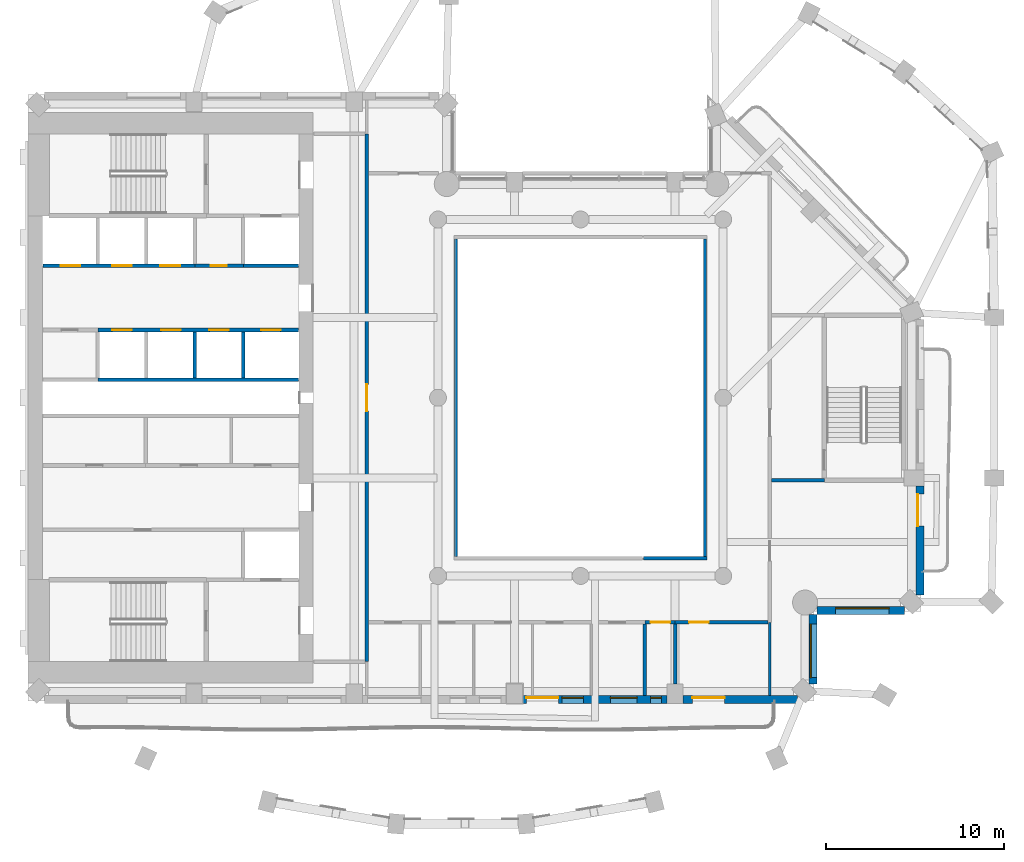
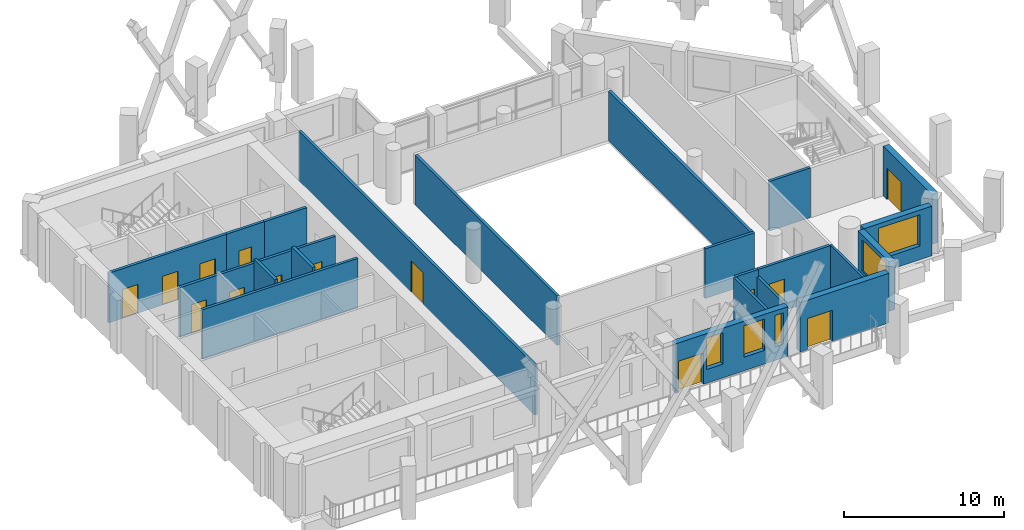
# One storey, part 5 of 15: 22 walls, 14 doors, 5 windows, 19 openings.
"""IFC4 building model written with IfcOpenShell, lengths in metres."""

from ifc_helpers import new_model, si_unit, direction, frame, frame_2d, origin, place, context, subcontext, project, spatial, rectangle, extrude, material, layer, layer_set, type_object, element, fill, save


model = new_model("IFC4")

# Units and contexts
model_context = context("Model", 3, precision=1e-05, world=origin(), true_north=direction((0.0, 1.0)))
body_context = subcontext(model_context, "Body", "Model", "MODEL_VIEW")
ifc_project = project(units=[si_unit("LENGTHUNIT", "METRE"), si_unit("AREAUNIT", "SQUARE_METRE"), si_unit("VOLUMEUNIT", "CUBIC_METRE"), si_unit("PLANEANGLEUNIT", "RADIAN"), si_unit("MASSUNIT", "GRAM", prefix="KILO")], contexts=[model_context])

# Site, building, storey
site_placement = place(None, origin())
site = spatial("IfcSite", under=ifc_project, at=site_placement, CompositionType="ELEMENT")
building_placement = place(site_placement, origin())
building = spatial("IfcBuilding", under=site, at=building_placement, Name="Cypress Arch Tower", CompositionType="ELEMENT")
storey_placement = place(building_placement, frame((0.0, 0.0, 205.60009765625)))
storey = spatial("IfcBuildingStorey", under=building, at=storey_placement, Name="L45", CompositionType="ELEMENT", Elevation=205.60009765625)

# Wall, openings, door, windows
ifc_material_1 = material(Name="Brick (red buff blend)", Category="masonry")
ifc_layer_1 = layer(ifc_material_1, 0.449951171875)
ifc_layer_set_1 = layer_set([ifc_layer_1], Name="Brick pier and spandrel wall BW450")
wall_type_1 = type_object("IfcWallType", Name="Brick pier and spandrel wall BW450", PredefinedType="SOLIDWALL", material=ifc_layer_set_1)
wall_1_placement = place(storey_placement, frame((-2.25, -16.925048828125, 0.0), z_axis=(0.0, 0.0, 1.0), x_axis=(1.0, 0.0, 0.0)))
wall_1 = element("IfcWall", 1, at=wall_1_placement, inside=storey, type_object=wall_type_1, Name="Brick wall L45 B01.3", PredefinedType="SOLIDWALL", context=body_context, shape_type="SweptSolid", body=[
    extrude(rectangle(XDim=8.10009765625, YDim=0.449951171875, at=frame_2d((4.050048828125, 0.0))), origin(), (0.0, 0.0, 1.0), 3.7998046875),
])
opening_1_placement = place(wall_1_placement, frame((0.199951171875, 0.0, 0.0)))
opening_1 = element("IfcOpeningElement", 2, at=opening_1_placement, cuts=wall_1, Name="Opening D-L45-B01.3.1", PredefinedType="OPENING", context=body_context, shape_type="SweptSolid", body=[
    extrude(rectangle(XDim=1.800048828125, YDim=2.39990234375, at=frame_2d((0.89990234375, 1.199951171875))), frame((0.0, 0.23486328125, 0.0), z_axis=(0.0, -1.0, 0.0), x_axis=(1.0, 0.0, 0.0)), (0.0, 0.0, 1.0), 0.469970703125),
])
opening_2_placement = place(wall_1_placement, frame((2.199951171875, 0.0, 1.050048828125)))
opening_2 = element("IfcOpeningElement", 3, at=opening_2_placement, cuts=wall_1, Name="Opening W120OD", PredefinedType="OPENING", context=body_context, shape_type="SweptSolid", body=[
    extrude(rectangle(XDim=1.199951171875, YDim=2.39990234375, at=frame_2d((0.60009765625, 1.199951171875))), frame((0.0, 0.23486328125, 0.0), z_axis=(0.0, -1.0, 0.0), x_axis=(1.0, 0.0, 0.0)), (0.0, 0.0, 1.0), 0.469970703125),
])
opening_3_placement = place(wall_1_placement, frame((4.925537109375, 0.0, 1.050048828125)))
opening_3 = element("IfcOpeningElement", 4, at=opening_3_placement, cuts=wall_1, Name="Opening W150OD", PredefinedType="OPENING", context=body_context, shape_type="SweptSolid", body=[
    extrude(rectangle(XDim=1.5, YDim=2.39990234375, at=frame_2d((0.75, 1.199951171875))), frame((0.0, 0.23486328125, 0.0), z_axis=(0.0, -1.0, 0.0), x_axis=(1.0, 0.0, 0.0)), (0.0, 0.0, 1.0), 0.469970703125),
])
opening_4_placement = place(wall_1_placement, frame((7.175537109375, 0.0, 1.050048828125)))
opening_4 = element("IfcOpeningElement", 5, at=opening_4_placement, cuts=wall_1, Name="Opening W060OD", PredefinedType="OPENING", context=body_context, shape_type="SweptSolid", body=[
    extrude(rectangle(XDim=0.60009765625, YDim=2.39990234375, at=frame_2d((0.300048828125, 1.199951171875))), frame((0.0, 0.23486328125, 0.0), z_axis=(0.0, -1.0, 0.0), x_axis=(1.0, 0.0, 0.0)), (0.0, 0.0, 1.0), 0.469970703125),
])
ifc_material_2 = material(Name="Anodised aluminium, bronze finish, laminated low-emissivity double glazing, large-missile impact rated", Category="aluminium")
door_type_1 = type_object("IfcDoorType", Name="Balcony sliding door 1800x2400", OperationType="SLIDING_TO_LEFT", PredefinedType="DOOR", material=ifc_material_2)
door_1_placement = place(opening_1_placement, origin())
door_1 = element("IfcDoor", 6, at=door_1_placement, inside=storey, type_object=door_type_1, Name="Balcony door L45 B01.3.1", OperationType="SLIDING_TO_LEFT", OverallHeight=2.39990234375, OverallWidth=1.800048828125, PredefinedType="DOOR", context=body_context, shape_type="SweptSolid", body=[
    extrude(rectangle(XDim=1.800048828125, YDim=2.39990234375, at=frame_2d((0.89990234375, 1.199951171875))), frame((0.0, 0.1298828125, 0.0), z_axis=(0.0, -1.0, 0.0), x_axis=(1.0, 0.0, 0.0)), (0.0, 0.0, 1.0), 0.050048828125),
])
fill(opening_1, door_1)
ifc_material_3 = material(Name="Anodised aluminium, bronze finish, laminated low-emissivity double glazing, large-missile impact rated", Category="aluminium")
window_type_1 = type_object("IfcWindowType", Name="Window Office 1200x2400 debris-rated", PartitioningType="SINGLE_PANEL", PredefinedType="WINDOW", material=ifc_material_3)
window_1_placement = place(opening_2_placement, origin())
window_1 = element("IfcWindow", 7, at=window_1_placement, inside=storey, type_object=window_type_1, Name="Window L45 B01.3.1", OverallHeight=2.39990234375, OverallWidth=1.199951171875, PartitioningType="SINGLE_PANEL", PredefinedType="WINDOW", context=body_context, shape_type="SweptSolid", body=[
    extrude(rectangle(XDim=1.199951171875, YDim=2.39990234375, at=frame_2d((0.60009765625, 1.199951171875))), frame((0.0, 0.135009765625, 0.0), z_axis=(0.0, -1.0, 0.0), x_axis=(1.0, 0.0, 0.0)), (0.0, 0.0, 1.0), 0.06005859375),
])
fill(opening_2, window_1)
ifc_material_4 = material(Name="Anodised aluminium, bronze finish, laminated low-emissivity double glazing, large-missile impact rated", Category="aluminium")
window_type_2 = type_object("IfcWindowType", Name="Window Office 1500x2400 debris-rated", PartitioningType="SINGLE_PANEL", PredefinedType="WINDOW", material=ifc_material_4)
window_2_placement = place(opening_3_placement, origin())
window_2 = element("IfcWindow", 8, at=window_2_placement, inside=storey, type_object=window_type_2, Name="Window L45 B01.3.2", OverallHeight=2.39990234375, OverallWidth=1.5, PartitioningType="SINGLE_PANEL", PredefinedType="WINDOW", context=body_context, shape_type="SweptSolid", body=[
    extrude(rectangle(XDim=1.5, YDim=2.39990234375, at=frame_2d((0.75, 1.199951171875))), frame((0.0, 0.135009765625, 0.0), z_axis=(0.0, -1.0, 0.0), x_axis=(1.0, 0.0, 0.0)), (0.0, 0.0, 1.0), 0.06005859375),
])
fill(opening_3, window_2)
ifc_material_5 = material(Name="Anodised aluminium, bronze finish, laminated low-emissivity double glazing, large-missile impact rated", Category="aluminium")
window_type_3 = type_object("IfcWindowType", Name="Window Office 600x2400 debris-rated", PartitioningType="SINGLE_PANEL", PredefinedType="WINDOW", material=ifc_material_5)
window_3_placement = place(opening_4_placement, origin())
window_3 = element("IfcWindow", 9, at=window_3_placement, inside=storey, type_object=window_type_3, Name="Window L45 B01.3.2b", OverallHeight=2.39990234375, OverallWidth=0.60009765625, PartitioningType="SINGLE_PANEL", PredefinedType="WINDOW", context=body_context, shape_type="SweptSolid", body=[
    extrude(rectangle(XDim=0.60009765625, YDim=2.39990234375, at=frame_2d((0.300048828125, 1.199951171875))), frame((0.0, 0.135009765625, 0.0), z_axis=(0.0, -1.0, 0.0), x_axis=(1.0, 0.0, 0.0)), (0.0, 0.0, 1.0), 0.06005859375),
])
fill(opening_4, window_3)

# Wall, opening, door
wall_2_placement = place(storey_placement, frame((6.75, -16.925048828125, 0.0), z_axis=(0.0, 0.0, 1.0), x_axis=(1.0, 0.0, 0.0)))
wall_2 = element("IfcWall", 10, at=wall_2_placement, inside=storey, type_object=wall_type_1, Name="Brick wall L45 B01.4", PredefinedType="SOLIDWALL", context=body_context, shape_type="SweptSolid", body=[
    extrude(rectangle(XDim=6.41357421875, YDim=0.449951171875, at=frame_2d((3.206787109375, 0.0))), origin(), (0.0, 0.0, 1.0), 3.7998046875),
])
opening_5_placement = place(wall_2_placement, frame((0.52490234375, 0.0, 0.0)))
opening_5 = element("IfcOpeningElement", 11, at=opening_5_placement, cuts=wall_2, Name="Opening D-L45-B01.4.1", PredefinedType="OPENING", context=body_context, shape_type="SweptSolid", body=[
    extrude(rectangle(XDim=1.800048828125, YDim=2.39990234375, at=frame_2d((0.89990234375, 1.199951171875))), frame((0.0, 0.23486328125, 0.0), z_axis=(0.0, -1.0, 0.0), x_axis=(1.0, 0.0, 0.0)), (0.0, 0.0, 1.0), 0.469970703125),
])
door_2_placement = place(opening_5_placement, origin())
door_2 = element("IfcDoor", 12, at=door_2_placement, inside=storey, type_object=door_type_1, Name="Balcony door L45 B01.4.1", OperationType="SLIDING_TO_LEFT", OverallHeight=2.39990234375, OverallWidth=1.800048828125, PredefinedType="DOOR", context=body_context, shape_type="SweptSolid", body=[
    extrude(rectangle(XDim=1.800048828125, YDim=2.39990234375, at=frame_2d((0.89990234375, 1.199951171875))), frame((0.0, 0.1298828125, 0.0), z_axis=(0.0, -1.0, 0.0), x_axis=(1.0, 0.0, 0.0)), (0.0, 0.0, 1.0), 0.050048828125),
])
fill(opening_5, door_2)

# Wall, opening, window
wall_3_placement = place(storey_placement, frame((14.02490234375, -16.063720703125, 0.0), z_axis=(0.0, 0.0, 1.0), x_axis=(0.0, 1.0, 0.0)))
wall_3 = element("IfcWall", 13, at=wall_3_placement, inside=storey, type_object=wall_type_1, Name="Brick wall L45 B02.0", PredefinedType="SOLIDWALL", context=body_context, shape_type="SweptSolid", body=[
    extrude(rectangle(XDim=3.9091796875, YDim=0.449951171875, at=frame_2d((1.95458984375, 0.0))), origin(), (0.0, 0.0, 1.0), 3.7998046875),
])
opening_6_placement = place(wall_3_placement, frame((0.363525390625, 0.0, 1.050048828125)))
opening_6 = element("IfcOpeningElement", 14, at=opening_6_placement, cuts=wall_3, Name="Opening W300O", PredefinedType="OPENING", context=body_context, shape_type="SweptSolid", body=[
    extrude(rectangle(XDim=3.0, YDim=2.39990234375, at=frame_2d((1.5, 1.199951171875))), frame((0.0, 0.23486328125, 0.0), z_axis=(0.0, -1.0, 0.0), x_axis=(1.0, 0.0, 0.0)), (0.0, 0.0, 1.0), 0.469970703125),
])
ifc_material_6 = material(Name="Anodised aluminium, bronze finish, clear low-emissivity double glazing", Category="aluminium")
window_type_4 = type_object("IfcWindowType", Name="Window Office 3000x2400", PartitioningType="SINGLE_PANEL", PredefinedType="WINDOW", material=ifc_material_6)
window_4_placement = place(opening_6_placement, origin())
window_4 = element("IfcWindow", 15, at=window_4_placement, inside=storey, type_object=window_type_4, Name="Window L45 B02.0.1", OverallHeight=2.39990234375, OverallWidth=3.0, PartitioningType="SINGLE_PANEL", PredefinedType="WINDOW", context=body_context, shape_type="SweptSolid", body=[
    extrude(rectangle(XDim=3.0, YDim=2.39990234375, at=frame_2d((1.5, 1.199951171875))), frame((0.0, 0.135009765625, 0.0), z_axis=(0.0, -1.0, 0.0), x_axis=(1.0, 0.0, 0.0)), (0.0, 0.0, 1.0), 0.06005859375),
])
fill(opening_6, window_4)

wall_4_placement = place(storey_placement, frame((14.254638671875, -11.925048828125, 0.0), z_axis=(0.0, 0.0, 1.0), x_axis=(1.0, 0.0, 0.0)))
wall_4 = element("IfcWall", 16, at=wall_4_placement, inside=storey, type_object=wall_type_1, Name="Brick wall L45 B03.0", PredefinedType="SOLIDWALL", context=body_context, shape_type="SweptSolid", body=[
    extrude(rectangle(XDim=4.908935546875, YDim=0.449951171875, at=frame_2d((2.45458984375, 0.0))), origin(), (0.0, 0.0, 1.0), 3.7998046875),
])
opening_7_placement = place(wall_4_placement, frame((1.04541015625, 0.0, 1.050048828125)))
opening_7 = element("IfcOpeningElement", 17, at=opening_7_placement, cuts=wall_4, Name="Opening W300O", PredefinedType="OPENING", context=body_context, shape_type="SweptSolid", body=[
    extrude(rectangle(XDim=3.0, YDim=2.39990234375, at=frame_2d((1.5, 1.199951171875))), frame((0.0, 0.23486328125, 0.0), z_axis=(0.0, -1.0, 0.0), x_axis=(1.0, 0.0, 0.0)), (0.0, 0.0, 1.0), 0.469970703125),
])
window_5_placement = place(opening_7_placement, origin())
window_5 = element("IfcWindow", 18, at=window_5_placement, inside=storey, type_object=window_type_4, Name="Window L45 B03.0.1", OverallHeight=2.39990234375, OverallWidth=3.0, PartitioningType="SINGLE_PANEL", PredefinedType="WINDOW", context=body_context, shape_type="SweptSolid", body=[
    extrude(rectangle(XDim=3.0, YDim=2.39990234375, at=frame_2d((1.5, 1.199951171875))), frame((0.0, 0.135009765625, 0.0), z_axis=(0.0, -1.0, 0.0), x_axis=(1.0, 0.0, 0.0)), (0.0, 0.0, 1.0), 0.06005859375),
])
fill(opening_7, window_5)

# Wall, opening, door
wall_5_placement = place(storey_placement, frame((20.02490234375, -11.063720703125, 0.0), z_axis=(0.0, 0.0, 1.0), x_axis=(0.0, 1.0, 0.0)))
wall_5 = element("IfcWall", 19, at=wall_5_placement, inside=storey, type_object=wall_type_1, Name="Brick wall L45 B04.0", PredefinedType="SOLIDWALL", context=body_context, shape_type="SweptSolid", body=[
    extrude(rectangle(XDim=6.11376953125, YDim=0.449951171875, at=frame_2d((3.056884765625, 0.0))), origin(), (0.0, 0.0, 1.0), 3.7998046875),
])
opening_8_placement = place(wall_5_placement, frame((3.863525390625, 0.0, 0.0)))
opening_8 = element("IfcOpeningElement", 20, at=opening_8_placement, cuts=wall_5, Name="Opening D-L45-B04.0.2", PredefinedType="OPENING", context=body_context, shape_type="SweptSolid", body=[
    extrude(rectangle(XDim=1.800048828125, YDim=2.39990234375, at=frame_2d((0.89990234375, 1.199951171875))), frame((0.0, 0.23486328125, 0.0), z_axis=(0.0, -1.0, 0.0), x_axis=(1.0, 0.0, 0.0)), (0.0, 0.0, 1.0), 0.469970703125),
])
door_3_placement = place(opening_8_placement, origin())
door_3 = element("IfcDoor", 21, at=door_3_placement, inside=storey, type_object=door_type_1, Name="Balcony door L45 B04.0.2", OperationType="SLIDING_TO_LEFT", OverallHeight=2.39990234375, OverallWidth=1.800048828125, PredefinedType="DOOR", context=body_context, shape_type="SweptSolid", body=[
    extrude(rectangle(XDim=1.800048828125, YDim=2.39990234375, at=frame_2d((0.89990234375, 1.199951171875))), frame((0.0, 0.1298828125, 0.0), z_axis=(0.0, -1.0, 0.0), x_axis=(1.0, 0.0, 0.0)), (0.0, 0.0, 1.0), 0.050048828125),
])
fill(opening_8, door_3)

ifc_material_7 = material(Name="Concrete blockwork, plastered, rated", Category="masonry")
ifc_layer_2 = layer(ifc_material_7, 0.199951171875)
ifc_layer_set_2 = layer_set([ifc_layer_2], Name="Corridor wall FW200")
wall_type_2 = type_object("IfcWallType", Name="Corridor wall FW200", PredefinedType="PARTITIONING", material=ifc_layer_set_2)
wall_6_placement = place(storey_placement, frame((-20.639892578125, 7.39990234375, 0.0), z_axis=(0.0, 0.0, 1.0), x_axis=(1.0, 0.0, 0.0)))
wall_6 = element("IfcWall", 22, at=wall_6_placement, inside=storey, type_object=wall_type_2, Name="Corridor wall", PredefinedType="PARTITIONING", context=body_context, shape_type="SweptSolid", body=[
    extrude(rectangle(XDim=2.719970703125, YDim=0.199951171875, at=frame_2d((1.35986328125, 0.0))), origin(), (0.0, 0.0, 1.0), 3.7998046875),
])
opening_9_placement = place(wall_6_placement, frame((0.89990234375, 0.0, 0.0)))
opening_9 = element("IfcOpeningElement", 23, at=opening_9_placement, cuts=wall_6, Name="Opening D05", PredefinedType="OPENING", context=body_context, shape_type="SweptSolid", body=[
    extrude(rectangle(XDim=0.89990234375, YDim=2.199951171875, at=frame_2d((0.449951171875, 1.10009765625))), frame((0.0, 0.10986328125, 0.0), z_axis=(0.0, -1.0, 0.0), x_axis=(1.0, 0.0, 0.0)), (0.0, 0.0, 1.0), 0.219970703125),
])
ifc_material_8 = material(Name="Timber flush door", Category="wood")
door_type_2 = type_object("IfcDoorType", Name="Service door D05 900x2200", OperationType="SINGLE_SWING_LEFT", PredefinedType="DOOR", material=ifc_material_8)
door_4_placement = place(opening_9_placement, origin())
door_4 = element("IfcDoor", 24, at=door_4_placement, inside=storey, type_object=door_type_2, Name="Service door", OperationType="SINGLE_SWING_LEFT", OverallHeight=2.199951171875, OverallWidth=0.89990234375, PredefinedType="DOOR", context=body_context, shape_type="SweptSolid", body=[
    extrude(rectangle(XDim=0.89990234375, YDim=2.199951171875, at=frame_2d((0.449951171875, 1.10009765625))), frame((0.0, 0.02490234375, 0.0), z_axis=(0.0, -1.0, 0.0), x_axis=(1.0, 0.0, 0.0)), (0.0, 0.0, 1.0), 0.050048828125),
])
fill(opening_9, door_4)

wall_7_placement = place(storey_placement, frame((-11.0, -14.800048828125, 0.0), z_axis=(0.0, 0.0, 1.0), x_axis=(0.0, 1.0, 0.0)))
wall_7 = element("IfcWall", 25, at=wall_7_placement, inside=storey, type_object=wall_type_2, Name="Corridor wall", PredefinedType="PARTITIONING", context=body_context, shape_type="SweptSolid", body=[
    extrude(rectangle(XDim=29.60009765625, YDim=0.199951171875, at=frame_2d((14.800048828125, 0.0))), origin(), (0.0, 0.0, 1.0), 3.7998046875),
])
opening_10_placement = place(wall_7_placement, frame((14.050048828125, 0.0, 0.0)))
opening_10 = element("IfcOpeningElement", 26, at=opening_10_placement, cuts=wall_7, Name="Opening D07", PredefinedType="OPENING", context=body_context, shape_type="SweptSolid", body=[
    extrude(rectangle(XDim=1.5, YDim=2.39990234375, at=frame_2d((0.75, 1.199951171875))), frame((0.0, 0.10986328125, 0.0), z_axis=(0.0, -1.0, 0.0), x_axis=(1.0, 0.0, 0.0)), (0.0, 0.0, 1.0), 0.219970703125),
])
ifc_material_9 = material(Name="Steel framed glazed door, fire resisting", Category="steel")
door_type_3 = type_object("IfcDoorType", Name="Lobby door D07 1500x2400", OperationType="DOUBLE_DOOR_SINGLE_SWING", PredefinedType="DOOR", material=ifc_material_9)
door_5_placement = place(opening_10_placement, origin())
door_5 = element("IfcDoor", 27, at=door_5_placement, inside=storey, type_object=door_type_3, Name="Lobby door", OperationType="DOUBLE_DOOR_SINGLE_SWING", OverallHeight=2.39990234375, OverallWidth=1.5, PredefinedType="DOOR", context=body_context, shape_type="SweptSolid", body=[
    extrude(rectangle(XDim=1.5, YDim=2.39990234375, at=frame_2d((0.75, 1.199951171875))), frame((0.0, 0.02490234375, 0.0), z_axis=(0.0, -1.0, 0.0), x_axis=(1.0, 0.0, 0.0)), (0.0, 0.0, 1.0), 0.050048828125),
])
fill(opening_10, door_5)

# Walls
wall_8_placement = place(storey_placement, frame((-6.0, -8.89990234375, 0.0), z_axis=(0.0, 0.0, 1.0), x_axis=(0.0, 1.0, 0.0)))
element("IfcWall", 28, at=wall_8_placement, inside=storey, type_object=wall_type_2, Name="Corridor wall", PredefinedType="PARTITIONING", context=body_context, shape_type="SweptSolid", body=[
    extrude(rectangle(XDim=17.7998046875, YDim=0.199951171875, at=frame_2d((8.89990234375, 0.0))), origin(), (0.0, 0.0, 1.0), 3.7998046875),
])
wall_9_placement = place(storey_placement, frame((4.52001953125, -9.0, 0.0), z_axis=(0.0, 0.0, 1.0), x_axis=(1.0, 0.0, 0.0)))
element("IfcWall", 29, at=wall_9_placement, inside=storey, type_object=wall_type_2, Name="Corridor wall", PredefinedType="PARTITIONING", context=body_context, shape_type="SweptSolid", body=[
    extrude(rectangle(XDim=3.580078125, YDim=0.199951171875, at=frame_2d((1.7900390625, 0.0))), origin(), (0.0, 0.0, 1.0), 3.7998046875),
])

# Wall, opening, door
wall_10_placement = place(storey_placement, frame((6.280029296875, -12.60009765625, 0.0), z_axis=(0.0, 0.0, 1.0), x_axis=(1.0, 0.0, 0.0)))
wall_10 = element("IfcWall", 30, at=wall_10_placement, inside=storey, type_object=wall_type_2, Name="Corridor wall", PredefinedType="PARTITIONING", context=body_context, shape_type="SweptSolid", body=[
    extrude(rectangle(XDim=5.219970703125, YDim=0.199951171875, at=frame_2d((2.60986328125, 0.0))), origin(), (0.0, 0.0, 1.0), 3.7998046875),
])
opening_11_placement = place(wall_10_placement, frame((0.800048828125, 0.0, 0.0)))
opening_11 = element("IfcOpeningElement", 31, at=opening_11_placement, cuts=wall_10, Name="Opening D01", PredefinedType="OPENING", context=body_context, shape_type="SweptSolid", body=[
    extrude(rectangle(XDim=1.10009765625, YDim=2.39990234375, at=frame_2d((0.550048828125, 1.199951171875))), frame((0.0, 0.10986328125, 0.0), z_axis=(0.0, -1.0, 0.0), x_axis=(1.0, 0.0, 0.0)), (0.0, 0.0, 1.0), 0.219970703125),
])
ifc_material_10 = material(Name="Timber flush door, fire resisting, self-closing", Category="wood")
door_type_4 = type_object("IfcDoorType", Name="Unit entrance door D01 1100x2400", OperationType="SINGLE_SWING_LEFT", PredefinedType="DOOR", material=ifc_material_10)
door_6_placement = place(opening_11_placement, origin())
door_6 = element("IfcDoor", 32, at=door_6_placement, inside=storey, type_object=door_type_4, Name="Unit entrance door", OperationType="SINGLE_SWING_RIGHT", OverallHeight=2.39990234375, OverallWidth=1.10009765625, PredefinedType="DOOR", context=body_context, shape_type="SweptSolid", body=[
    extrude(rectangle(XDim=1.10009765625, YDim=2.39990234375, at=frame_2d((0.550048828125, 1.199951171875))), frame((0.0, 0.02490234375, 0.0), z_axis=(0.0, -1.0, 0.0), x_axis=(1.0, 0.0, 0.0)), (0.0, 0.0, 1.0), 0.050048828125),
])
fill(opening_11, door_6)

# Walls
wall_11_placement = place(storey_placement, frame((8.0, -8.89990234375, 0.0), z_axis=(0.0, 0.0, 1.0), x_axis=(0.0, 1.0, 0.0)))
element("IfcWall", 33, at=wall_11_placement, inside=storey, type_object=wall_type_2, Name="Corridor wall", PredefinedType="PARTITIONING", context=body_context, shape_type="SweptSolid", body=[
    extrude(rectangle(XDim=17.7998046875, YDim=0.199951171875, at=frame_2d((8.89990234375, 0.0))), origin(), (0.0, 0.0, 1.0), 3.7998046875),
])
wall_12_placement = place(storey_placement, frame((11.699951171875, -4.625, 0.0), z_axis=(0.0, 0.0, 1.0), x_axis=(1.0, 0.0, 0.0)))
element("IfcWall", 34, at=wall_12_placement, inside=storey, type_object=wall_type_2, Name="Corridor wall", PredefinedType="PARTITIONING", context=body_context, shape_type="SweptSolid", body=[
    extrude(rectangle(XDim=2.97509765625, YDim=0.199951171875, at=frame_2d((1.487548828125, 0.0))), origin(), (0.0, 0.0, 1.0), 3.7998046875),
])
ifc_material_11 = material(Name="Blockwork, plastered both sides", Category="masonry")
ifc_layer_3 = layer(ifc_material_11, 0.14990234375)
ifc_layer_set_3 = layer_set([ifc_layer_3], Name="Partition PW150")
wall_type_3 = type_object("IfcWallType", Name="Partition PW150", PredefinedType="PARTITIONING", material=ifc_layer_set_3)
wall_13_placement = place(storey_placement, frame((11.60009765625, -16.699951171875, 0.0), z_axis=(0.0, 0.0, 1.0), x_axis=(0.0, 1.0, 0.0)))
element("IfcWall", 35, at=wall_13_placement, inside=storey, type_object=wall_type_3, Name="Partition", PredefinedType="PARTITIONING", context=body_context, shape_type="SweptSolid", body=[
    extrude(rectangle(XDim=4.099853515625, YDim=0.14990234375, at=frame_2d((2.0498046875, 0.0))), origin(), (0.0, 0.0, 1.0), 3.7998046875),
])

# Wall, opening, door
ifc_material_12 = material(Name="Reinforced blockwork, plastered, rated", Category="masonry")
ifc_layer_4 = layer(ifc_material_12, 0.199951171875)
ifc_layer_set_4 = layer_set([ifc_layer_4], Name="Plant and riser wall PL200")
wall_type_4 = type_object("IfcWallType", Name="Plant and riser wall PL200", PredefinedType="PARTITIONING", material=ifc_layer_set_4)
wall_14_placement = place(storey_placement, frame((4.62109375, -12.60009765625, 0.0), z_axis=(0.0, 0.0, 1.0), x_axis=(1.0, 0.0, 0.0)))
wall_14 = element("IfcWall", 36, at=wall_14_placement, inside=storey, type_object=wall_type_4, Name="Plant and riser wall", PredefinedType="PARTITIONING", context=body_context, shape_type="SweptSolid", body=[
    extrude(rectangle(XDim=1.658935546875, YDim=0.199951171875, at=frame_2d((0.82958984375, 0.0))), origin(), (0.0, 0.0, 1.0), 3.7998046875),
])
opening_12_placement = place(wall_14_placement, frame((0.300048828125, 0.0, 0.0)))
opening_12 = element("IfcOpeningElement", 37, at=opening_12_placement, cuts=wall_14, Name="Opening D01", PredefinedType="OPENING", context=body_context, shape_type="SweptSolid", body=[
    extrude(rectangle(XDim=1.10009765625, YDim=2.39990234375, at=frame_2d((0.550048828125, 1.199951171875))), frame((0.0, 0.10986328125, 0.0), z_axis=(0.0, -1.0, 0.0), x_axis=(1.0, 0.0, 0.0)), (0.0, 0.0, 1.0), 0.219970703125),
])
door_7_placement = place(opening_12_placement, origin())
door_7 = element("IfcDoor", 38, at=door_7_placement, inside=storey, type_object=door_type_4, Name="Unit entrance door", OperationType="SINGLE_SWING_LEFT", OverallHeight=2.39990234375, OverallWidth=1.10009765625, PredefinedType="DOOR", context=body_context, shape_type="SweptSolid", body=[
    extrude(rectangle(XDim=1.10009765625, YDim=2.39990234375, at=frame_2d((0.550048828125, 1.199951171875))), frame((0.0, 0.02490234375, 0.0), z_axis=(0.0, -1.0, 0.0), x_axis=(1.0, 0.0, 0.0)), (0.0, 0.0, 1.0), 0.050048828125),
])
fill(opening_12, door_7)

# Walls
wall_15_placement = place(storey_placement, frame((4.60107421875, -16.699951171875, 0.0), z_axis=(0.0, 0.0, 1.0), x_axis=(0.0, 1.0, 0.0)))
element("IfcWall", 39, at=wall_15_placement, inside=storey, type_object=wall_type_4, Name="Plant and riser wall", PredefinedType="PARTITIONING", context=body_context, shape_type="SweptSolid", body=[
    extrude(rectangle(XDim=4.0, YDim=0.199951171875, at=frame_2d((2.0, 0.0))), origin(), (0.0, 0.0, 1.0), 3.7998046875),
])
wall_16_placement = place(storey_placement, frame((6.300048828125, -16.050048828125, 0.0), z_axis=(0.0, 0.0, 1.0), x_axis=(0.0, 1.0, 0.0)))
element("IfcWall", 40, at=wall_16_placement, inside=storey, type_object=wall_type_4, Name="Plant and riser wall", PredefinedType="PARTITIONING", context=body_context, shape_type="SweptSolid", body=[
    extrude(rectangle(XDim=3.35009765625, YDim=0.199951171875, at=frame_2d((1.675048828125, 0.0))), origin(), (0.0, 0.0, 1.0), 3.25),
])

# Wall, openings, doors
ifc_material_13 = material(Name="Concrete C50/60", Category="concrete")
ifc_layer_5 = layer(ifc_material_13, 0.199951171875)
ifc_layer_set_5 = layer_set([ifc_layer_5], Name="Shaft wall SH200")
wall_type_5 = type_object("IfcWallType", Name="Shaft wall SH200", PredefinedType="SHEAR", material=ifc_layer_set_5)
wall_17_placement = place(storey_placement, frame((-29.169921875, 7.39990234375, 0.0), z_axis=(0.0, 0.0, 1.0), x_axis=(1.0, 0.0, 0.0)))
wall_17 = element("IfcWall", 41, at=wall_17_placement, inside=storey, type_object=wall_type_5, Name="Shaft wall", PredefinedType="SHEAR", context=body_context, shape_type="SweptSolid", body=[
    extrude(rectangle(XDim=8.530029296875, YDim=0.199951171875, at=frame_2d((4.26513671875, 0.0))), origin(), (0.0, 0.0, 1.0), 3.7998046875),
])
opening_13_placement = place(wall_17_placement, frame((1.0, 0.0, 0.0)))
opening_13 = element("IfcOpeningElement", 42, at=opening_13_placement, cuts=wall_17, Name="Opening LD-HR5", PredefinedType="OPENING", context=body_context, shape_type="SweptSolid", body=[
    extrude(rectangle(XDim=1.10009765625, YDim=2.199951171875, at=frame_2d((0.550048828125, 1.10009765625))), frame((0.0, 0.10986328125, 0.0), z_axis=(0.0, -1.0, 0.0), x_axis=(1.0, 0.0, 0.0)), (0.0, 0.0, 1.0), 0.219970703125),
])
opening_14_placement = place(wall_17_placement, frame((3.89990234375, 0.0, 0.0)))
opening_14 = element("IfcOpeningElement", 43, at=opening_14_placement, cuts=wall_17, Name="Opening LD-HR6", PredefinedType="OPENING", context=body_context, shape_type="SweptSolid", body=[
    extrude(rectangle(XDim=1.10009765625, YDim=2.199951171875, at=frame_2d((0.550048828125, 1.10009765625))), frame((0.0, 0.10986328125, 0.0), z_axis=(0.0, -1.0, 0.0), x_axis=(1.0, 0.0, 0.0)), (0.0, 0.0, 1.0), 0.219970703125),
])
opening_15_placement = place(wall_17_placement, frame((6.60009765625, 0.0, 0.0)))
opening_15 = element("IfcOpeningElement", 44, at=opening_15_placement, cuts=wall_17, Name="Opening LD-HR7", PredefinedType="OPENING", context=body_context, shape_type="SweptSolid", body=[
    extrude(rectangle(XDim=1.10009765625, YDim=2.199951171875, at=frame_2d((0.550048828125, 1.10009765625))), frame((0.0, 0.10986328125, 0.0), z_axis=(0.0, -1.0, 0.0), x_axis=(1.0, 0.0, 0.0)), (0.0, 0.0, 1.0), 0.219970703125),
])
ifc_material_14 = material(Name="Stainless steel centre-opening landing door, rated", Category="steel")
door_type_5 = type_object("IfcDoorType", Name="Lift landing door LD 1100x2200", OperationType="DOUBLE_DOOR_SLIDING", PredefinedType="DOOR", material=ifc_material_14)
door_8_placement = place(opening_13_placement, origin())
door_8 = element("IfcDoor", 45, at=door_8_placement, inside=storey, type_object=door_type_5, Name="Lift landing doors HR5", OperationType="DOUBLE_DOOR_SLIDING", OverallHeight=2.199951171875, OverallWidth=1.10009765625, PredefinedType="DOOR", context=body_context, shape_type="SweptSolid", body=[
    extrude(rectangle(XDim=1.10009765625, YDim=2.199951171875, at=frame_2d((0.550048828125, 1.10009765625))), frame((0.0, 0.02490234375, 0.0), z_axis=(0.0, -1.0, 0.0), x_axis=(1.0, 0.0, 0.0)), (0.0, 0.0, 1.0), 0.050048828125),
])
fill(opening_13, door_8)
door_9_placement = place(opening_14_placement, origin())
door_9 = element("IfcDoor", 46, at=door_9_placement, inside=storey, type_object=door_type_5, Name="Lift landing doors HR6", OperationType="DOUBLE_DOOR_SLIDING", OverallHeight=2.199951171875, OverallWidth=1.10009765625, PredefinedType="DOOR", context=body_context, shape_type="SweptSolid", body=[
    extrude(rectangle(XDim=1.10009765625, YDim=2.199951171875, at=frame_2d((0.550048828125, 1.10009765625))), frame((0.0, 0.02490234375, 0.0), z_axis=(0.0, -1.0, 0.0), x_axis=(1.0, 0.0, 0.0)), (0.0, 0.0, 1.0), 0.050048828125),
])
fill(opening_14, door_9)
door_10_placement = place(opening_15_placement, origin())
door_10 = element("IfcDoor", 47, at=door_10_placement, inside=storey, type_object=door_type_5, Name="Lift landing doors HR7", OperationType="DOUBLE_DOOR_SLIDING", OverallHeight=2.199951171875, OverallWidth=1.10009765625, PredefinedType="DOOR", context=body_context, shape_type="SweptSolid", body=[
    extrude(rectangle(XDim=1.10009765625, YDim=2.199951171875, at=frame_2d((0.550048828125, 1.10009765625))), frame((0.0, 0.02490234375, 0.0), z_axis=(0.0, -1.0, 0.0), x_axis=(1.0, 0.0, 0.0)), (0.0, 0.0, 1.0), 0.050048828125),
])
fill(opening_15, door_10)

# Wall
wall_18_placement = place(storey_placement, frame((-26.080078125, 1.0, 0.0), z_axis=(0.0, 0.0, 1.0), x_axis=(1.0, 0.0, 0.0)))
element("IfcWall", 48, at=wall_18_placement, inside=storey, type_object=wall_type_5, Name="Shaft wall", PredefinedType="SHEAR", context=body_context, shape_type="SweptSolid", body=[
    extrude(rectangle(XDim=11.25, YDim=0.199951171875, at=frame_2d((5.625, 0.0))), origin(), (0.0, 0.0, 1.0), 3.7998046875),
])

# Wall, openings, doors
wall_19_placement = place(storey_placement, frame((-26.080078125, 3.800048828125, 0.0), z_axis=(0.0, 0.0, 1.0), x_axis=(1.0, 0.0, 0.0)))
wall_19 = element("IfcWall", 49, at=wall_19_placement, inside=storey, type_object=wall_type_5, Name="Shaft wall", PredefinedType="SHEAR", context=body_context, shape_type="SweptSolid", body=[
    extrude(rectangle(XDim=11.25, YDim=0.199951171875, at=frame_2d((5.625, 0.0))), origin(), (0.0, 0.0, 1.0), 3.7998046875),
])
opening_16_placement = place(wall_19_placement, frame((0.800048828125, 0.0, 0.0)))
opening_16 = element("IfcOpeningElement", 50, at=opening_16_placement, cuts=wall_19, Name="Opening LD-HR1", PredefinedType="OPENING", context=body_context, shape_type="SweptSolid", body=[
    extrude(rectangle(XDim=1.10009765625, YDim=2.199951171875, at=frame_2d((0.550048828125, 1.10009765625))), frame((0.0, 0.10986328125, 0.0), z_axis=(0.0, -1.0, 0.0), x_axis=(1.0, 0.0, 0.0)), (0.0, 0.0, 1.0), 0.219970703125),
])
opening_17_placement = place(wall_19_placement, frame((3.550048828125, 0.0, 0.0)))
opening_17 = element("IfcOpeningElement", 51, at=opening_17_placement, cuts=wall_19, Name="Opening LD-HR2", PredefinedType="OPENING", context=body_context, shape_type="SweptSolid", body=[
    extrude(rectangle(XDim=1.10009765625, YDim=2.199951171875, at=frame_2d((0.550048828125, 1.10009765625))), frame((0.0, 0.10986328125, 0.0), z_axis=(0.0, -1.0, 0.0), x_axis=(1.0, 0.0, 0.0)), (0.0, 0.0, 1.0), 0.219970703125),
])
opening_18_placement = place(wall_19_placement, frame((6.25, 0.0, 0.0)))
opening_18 = element("IfcOpeningElement", 52, at=opening_18_placement, cuts=wall_19, Name="Opening LD-HR3", PredefinedType="OPENING", context=body_context, shape_type="SweptSolid", body=[
    extrude(rectangle(XDim=1.10009765625, YDim=2.199951171875, at=frame_2d((0.550048828125, 1.10009765625))), frame((0.0, 0.10986328125, 0.0), z_axis=(0.0, -1.0, 0.0), x_axis=(1.0, 0.0, 0.0)), (0.0, 0.0, 1.0), 0.219970703125),
])
opening_19_placement = place(wall_19_placement, frame((9.14990234375, 0.0, 0.0)))
opening_19 = element("IfcOpeningElement", 53, at=opening_19_placement, cuts=wall_19, Name="Opening LD-HR4", PredefinedType="OPENING", context=body_context, shape_type="SweptSolid", body=[
    extrude(rectangle(XDim=1.10009765625, YDim=2.199951171875, at=frame_2d((0.550048828125, 1.10009765625))), frame((0.0, 0.10986328125, 0.0), z_axis=(0.0, -1.0, 0.0), x_axis=(1.0, 0.0, 0.0)), (0.0, 0.0, 1.0), 0.219970703125),
])
door_11_placement = place(opening_16_placement, origin())
door_11 = element("IfcDoor", 54, at=door_11_placement, inside=storey, type_object=door_type_5, Name="Lift landing doors HR1", OperationType="DOUBLE_DOOR_SLIDING", OverallHeight=2.199951171875, OverallWidth=1.10009765625, PredefinedType="DOOR", context=body_context, shape_type="SweptSolid", body=[
    extrude(rectangle(XDim=1.10009765625, YDim=2.199951171875, at=frame_2d((0.550048828125, 1.10009765625))), frame((0.0, 0.02490234375, 0.0), z_axis=(0.0, -1.0, 0.0), x_axis=(1.0, 0.0, 0.0)), (0.0, 0.0, 1.0), 0.050048828125),
])
fill(opening_16, door_11)
door_12_placement = place(opening_17_placement, origin())
door_12 = element("IfcDoor", 55, at=door_12_placement, inside=storey, type_object=door_type_5, Name="Lift landing doors HR2", OperationType="DOUBLE_DOOR_SLIDING", OverallHeight=2.199951171875, OverallWidth=1.10009765625, PredefinedType="DOOR", context=body_context, shape_type="SweptSolid", body=[
    extrude(rectangle(XDim=1.10009765625, YDim=2.199951171875, at=frame_2d((0.550048828125, 1.10009765625))), frame((0.0, 0.02490234375, 0.0), z_axis=(0.0, -1.0, 0.0), x_axis=(1.0, 0.0, 0.0)), (0.0, 0.0, 1.0), 0.050048828125),
])
fill(opening_17, door_12)
door_13_placement = place(opening_18_placement, origin())
door_13 = element("IfcDoor", 56, at=door_13_placement, inside=storey, type_object=door_type_5, Name="Lift landing doors HR3", OperationType="DOUBLE_DOOR_SLIDING", OverallHeight=2.199951171875, OverallWidth=1.10009765625, PredefinedType="DOOR", context=body_context, shape_type="SweptSolid", body=[
    extrude(rectangle(XDim=1.10009765625, YDim=2.199951171875, at=frame_2d((0.550048828125, 1.10009765625))), frame((0.0, 0.02490234375, 0.0), z_axis=(0.0, -1.0, 0.0), x_axis=(1.0, 0.0, 0.0)), (0.0, 0.0, 1.0), 0.050048828125),
])
fill(opening_18, door_13)
door_14_placement = place(opening_19_placement, origin())
door_14 = element("IfcDoor", 57, at=door_14_placement, inside=storey, type_object=door_type_5, Name="Lift landing doors HR4", OperationType="DOUBLE_DOOR_SLIDING", OverallHeight=2.199951171875, OverallWidth=1.10009765625, PredefinedType="DOOR", context=body_context, shape_type="SweptSolid", body=[
    extrude(rectangle(XDim=1.10009765625, YDim=2.199951171875, at=frame_2d((0.550048828125, 1.10009765625))), frame((0.0, 0.02490234375, 0.0), z_axis=(0.0, -1.0, 0.0), x_axis=(1.0, 0.0, 0.0)), (0.0, 0.0, 1.0), 0.050048828125),
])
fill(opening_19, door_14)

# Walls
for number, where, z_axis, x_axis, name in (
    (58, (-20.639892578125, 1.10009765625, 0.0), (0.0, 0.0, 1.0), (0.0, 1.0, 0.0), "Shaft wall"),
    (59, (-17.919921875, 1.10009765625, 0.0), (0.0, 0.0, 1.0), (0.0, 1.0, 0.0), "Shaft wall"),
):
    element("IfcWall", number, at=place(storey_placement, frame(where, z_axis=z_axis, x_axis=x_axis)), inside=storey, type_object=wall_type_5, Name=name, PredefinedType="SHEAR", context=body_context, shape_type="SweptSolid", body=[
        extrude(rectangle(XDim=2.599853515625, YDim=0.199951171875, at=frame_2d((1.2998046875, 0.0))), origin(), (0.0, 0.0, 1.0), 4.099853515625),
    ])
wall_20_placement = place(storey_placement, frame((-17.919921875, 7.39990234375, 0.0), z_axis=(0.0, 0.0, 1.0), x_axis=(1.0, 0.0, 0.0)))
element("IfcWall", 60, at=wall_20_placement, inside=storey, type_object=wall_type_5, Name="Shaft wall", PredefinedType="SHEAR", context=body_context, shape_type="SweptSolid", body=[
    extrude(rectangle(XDim=3.08984375, YDim=0.199951171875, at=frame_2d((1.544921875, 0.0))), origin(), (0.0, 0.0, 1.0), 3.7998046875),
])

save(model, "model.ifc")
